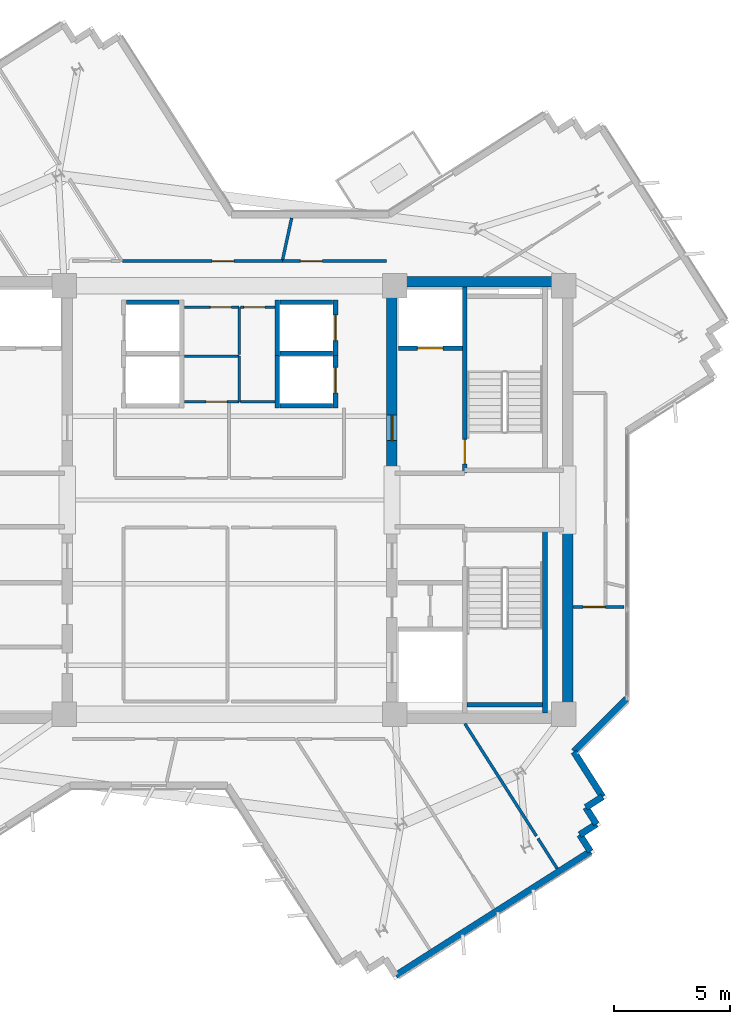
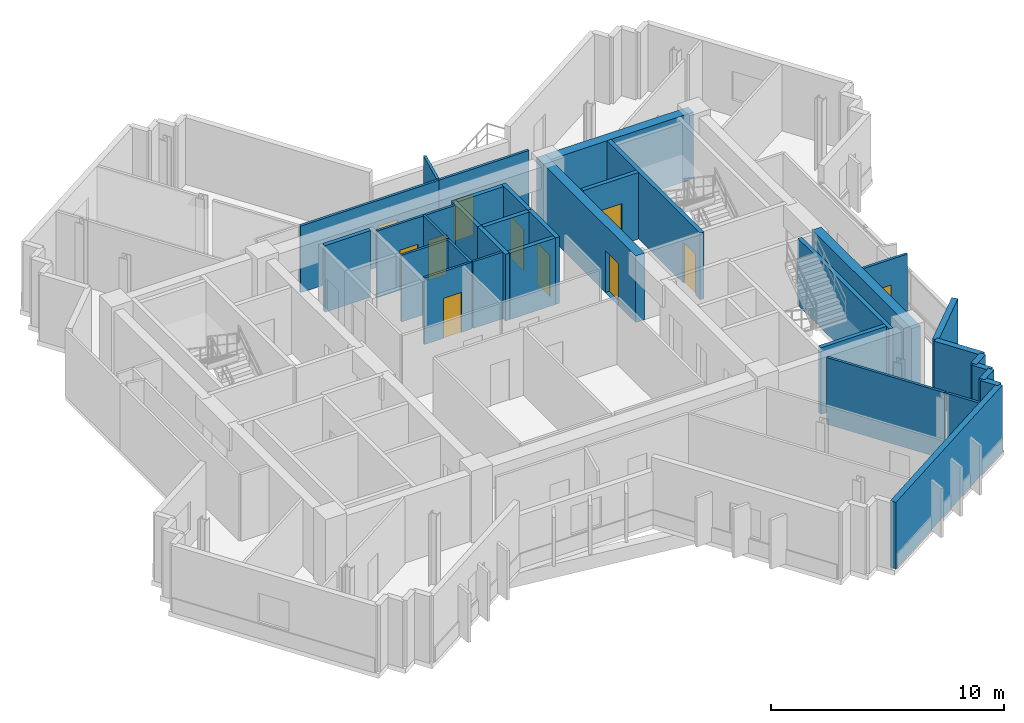
# One storey, part 7 of 12: 35 walls, 11 doors, 11 openings.
"""IFC4 building model written with IfcOpenShell, lengths in metres."""

from ifc_helpers import new_model, si_unit, direction, frame, frame_2d, origin, place, context, subcontext, project, spatial, rectangle, extrude, source, transform, mapped, material, layer, layer_set, type_object, element, fill, save


model = new_model("IFC4")

# Units and contexts
model_context = context("Model", 3, precision=1e-05, world=origin(), true_north=direction((0.0, 1.0)))
body_context = subcontext(model_context, "Body", "Model", "MODEL_VIEW")
ifc_project = project(units=[si_unit("LENGTHUNIT", "METRE"), si_unit("AREAUNIT", "SQUARE_METRE"), si_unit("VOLUMEUNIT", "CUBIC_METRE"), si_unit("PLANEANGLEUNIT", "RADIAN"), si_unit("MASSUNIT", "GRAM", prefix="KILO")], contexts=[model_context])

# Site, building, storey
site_placement = place(None, origin())
site = spatial("IfcSite", under=ifc_project, at=site_placement, CompositionType="ELEMENT")
building_placement = place(site_placement, origin())
building = spatial("IfcBuilding", under=site, at=building_placement, Name="Zahravan Cultural Tower", CompositionType="ELEMENT")
storey_placement = place(building_placement, frame((0.0, 0.0, 265.35009765625)))
storey = spatial("IfcBuildingStorey", under=building, at=storey_placement, Name="L63", CompositionType="ELEMENT", Elevation=265.35009765625)

# Wall, opening, door
ifc_material_1 = material(Name="Concrete C50/60", Category="concrete")
ifc_layer_1 = layer(ifc_material_1, 0.449951171875)
ifc_layer_set_1 = layer_set([ifc_layer_1], Name="Concrete C50/60")
wall_type_1 = type_object("IfcWallType", Name="CW-SHEAR-450-C50", PredefinedType="SHEAR", material=ifc_layer_set_1)
wall_1_placement = place(storey_placement, frame((42.97509765625, 28.050048828125, 0.0), z_axis=(0.0, 0.0, 1.0), x_axis=(0.0, 1.0, 0.0)))
wall_1 = element("IfcWall", 1, at=wall_1_placement, inside=storey, type_object=wall_type_1, Name="L63 Core Shear Wall CW-E-WN-L63", PredefinedType="SHEAR", context=body_context, shape_type="SweptSolid", body=[
    extrude(rectangle(XDim=8.550048828125, YDim=0.449951171875, at=frame_2d((4.27490234375, 0.0))), origin(), (0.0, 0.0, 1.0), 3.5),
])
opening_1_placement = place(wall_1_placement, frame((1.5, 0.0, 0.0)))
opening_1 = element("IfcOpeningElement", 2, at=opening_1_placement, cuts=wall_1, Name="Opening D-L63-07", PredefinedType="OPENING", context=body_context, shape_type="SweptSolid", body=[
    extrude(rectangle(XDim=1.10009765625, YDim=2.199951171875, at=frame_2d((0.550048828125, 1.10009765625))), frame((0.0, 0.23486328125, 0.0), z_axis=(0.0, -1.0, 0.0), x_axis=(1.0, 0.0, 0.0)), (0.0, 0.0, 1.0), 0.469970703125),
])
ifc_material_2 = material(Name="Steel ASTM A572 Grade 50", Category="steel")
door_type_1 = type_object("IfcDoorType", Name="DR-LOBBY-1100", OperationType="NOTDEFINED", PredefinedType="DOOR", material=ifc_material_2)
shared_shape_1 = source(origin(), body_context, "Body", "SweptSolid", [
    extrude(rectangle(XDim=1.10009765625, YDim=2.199951171875, at=frame_2d((0.550048828125, 1.10009765625))), frame((0.0, 0.02490234375, 0.0), z_axis=(0.0, -1.0, 0.0), x_axis=(1.0, 0.0, 0.0)), (0.0, 0.0, 1.0), 0.050048828125),
])
door_1_placement = place(opening_1_placement, origin())
door_1 = element("IfcDoor", 3, at=door_1_placement, inside=storey, type_object=door_type_1, Name="L63 Door D-L63-07", OperationType="SINGLE_SWING_RIGHT", OverallHeight=2.199951171875, OverallWidth=1.10009765625, PredefinedType="DOOR", context=body_context, shape_type="MappedRepresentation", body=[
    mapped(shared_shape_1, transform((0.0, 0.0, 0.0), x_axis=(1.0, 0.0, 0.0), y_axis=(0.0, 1.0, 0.0), z_axis=(0.0, 0.0, 1.0), scale=1.0)),
])
fill(opening_1, door_1)

ifc_material_3 = material(Name="Gypsum plasterboard partition")
ifc_layer_2 = layer(ifc_material_3, 0.125)
ifc_layer_set_2 = layer_set([ifc_layer_2], Name="Gypsum plasterboard partition")
wall_type_2 = type_object("IfcWallType", Name="W-PART-125", PredefinedType="PARTITIONING", material=ifc_layer_set_2)
wall_2_placement = place(storey_placement, frame((50.7548828125, 22.400146484375, 0.0), z_axis=(0.0, 0.0, 1.0), x_axis=(0.999998787702, 0.001557110781, 0.0)))
wall_2 = element("IfcWall", 4, at=wall_2_placement, inside=storey, type_object=wall_type_2, Name="L63 Interior Wall 066", PredefinedType="PARTITIONING", context=body_context, shape_type="SweptSolid", body=[
    extrude(rectangle(XDim=2.195068359375, YDim=0.125, at=frame_2d((1.09765625, 0.0))), origin(), (0.0, 0.0, 1.0), 3.5),
])
opening_2_placement = place(wall_2_placement, frame((0.435791015625, 0.0, 0.0)))
opening_2 = element("IfcOpeningElement", 5, at=opening_2_placement, cuts=wall_2, Name="Opening D-L63-29", PredefinedType="OPENING", context=body_context, shape_type="SweptSolid", body=[
    extrude(rectangle(XDim=0.949951171875, YDim=2.14990234375, at=frame_2d((0.47509765625, 1.074951171875))), frame((0.0, 0.072509765625, 0.0), z_axis=(0.0, -1.0, 0.0), x_axis=(1.0, 0.0, 0.0)), (0.0, 0.0, 1.0), 0.14501953125),
])
ifc_material_4 = material(Name="Anodised bronze-aluminium mullion", Category="aluminium")
door_type_2 = type_object("IfcDoorType", Name="DR-ROOM-950", OperationType="NOTDEFINED", PredefinedType="DOOR", material=ifc_material_4)
shared_shape_2 = source(origin(), body_context, "Body", "SweptSolid", [
    extrude(rectangle(XDim=0.949951171875, YDim=2.14990234375, at=frame_2d((0.47509765625, 1.074951171875))), frame((0.0, 0.02490234375, 0.0), z_axis=(0.0, -1.0, 0.0), x_axis=(1.0, 0.0, 0.0)), (0.0, 0.0, 1.0), 0.050048828125),
])
door_2_placement = place(opening_2_placement, origin())
door_2 = element("IfcDoor", 6, at=door_2_placement, inside=storey, type_object=door_type_2, Name="L63 Door D-L63-29", OperationType="SINGLE_SWING_RIGHT", OverallHeight=2.14990234375, OverallWidth=0.949951171875, PredefinedType="DOOR", context=body_context, shape_type="MappedRepresentation", body=[
    mapped(shared_shape_2, transform((0.0, 0.0, 0.0), x_axis=(1.0, 0.0, 0.0), y_axis=(0.0, 1.0, 0.0), z_axis=(0.0, 0.0, 1.0), scale=1.0)),
])
fill(opening_2, door_2)

wall_3_placement = place(storey_placement, frame((42.742431640625, 37.259765625, 0.0), z_axis=(0.0, 0.0, 1.0), x_axis=(-0.999999998515, 5.4504824e-05, 0.0)))
wall_3 = element("IfcWall", 7, at=wall_3_placement, inside=storey, type_object=wall_type_2, Name="L63 Interior Wall 092", PredefinedType="PARTITIONING", context=body_context, shape_type="SweptSolid", body=[
    extrude(rectangle(XDim=4.479248046875, YDim=0.125, at=frame_2d((2.23974609375, 0.0))), origin(), (0.0, 0.0, 1.0), 3.5),
])
opening_3_placement = place(wall_3_placement, frame((2.752685546875, 0.0, 0.0)))
opening_3 = element("IfcOpeningElement", 8, at=opening_3_placement, cuts=wall_3, Name="Opening D-L63-21", PredefinedType="OPENING", context=body_context, shape_type="SweptSolid", body=[
    extrude(rectangle(XDim=0.949951171875, YDim=2.14990234375, at=frame_2d((0.47509765625, 1.074951171875))), frame((0.0, 0.072509765625, 0.0), z_axis=(0.0, -1.0, 0.0), x_axis=(1.0, 0.0, 0.0)), (0.0, 0.0, 1.0), 0.14501953125),
])
door_3_placement = place(opening_3_placement, origin())
door_3 = element("IfcDoor", 9, at=door_3_placement, inside=storey, type_object=door_type_2, Name="L63 Door D-L63-21", OperationType="SINGLE_SWING_RIGHT", OverallHeight=2.14990234375, OverallWidth=0.949951171875, PredefinedType="DOOR", context=body_context, shape_type="MappedRepresentation", body=[
    mapped(shared_shape_2, transform((0.0, 0.0, 0.0), x_axis=(1.0, 0.0, 0.0), y_axis=(0.0, 1.0, 0.0), z_axis=(0.0, 0.0, 1.0), scale=1.0)),
])
fill(opening_3, door_3)

wall_4_placement = place(storey_placement, frame((38.26318359375, 37.260009765625, 0.0), z_axis=(0.0, 0.0, 1.0), x_axis=(-1.0, 0.0, 0.0)))
wall_4 = element("IfcWall", 10, at=wall_4_placement, inside=storey, type_object=wall_type_2, Name="L63 Interior Wall 095", PredefinedType="PARTITIONING", context=body_context, shape_type="SweptSolid", body=[
    extrude(rectangle(XDim=6.866943359375, YDim=0.125, at=frame_2d((3.43359375, 0.0))), origin(), (0.0, 0.0, 1.0), 3.5),
])
opening_4_placement = place(wall_4_placement, frame((2.071044921875, 0.0, 0.0)))
opening_4 = element("IfcOpeningElement", 11, at=opening_4_placement, cuts=wall_4, Name="Opening D-L63-22", PredefinedType="OPENING", context=body_context, shape_type="SweptSolid", body=[
    extrude(rectangle(XDim=0.949951171875, YDim=2.14990234375, at=frame_2d((0.47509765625, 1.074951171875))), frame((0.0, 0.072509765625, 0.0), z_axis=(0.0, -1.0, 0.0), x_axis=(1.0, 0.0, 0.0)), (0.0, 0.0, 1.0), 0.14501953125),
])
door_4_placement = place(opening_4_placement, origin())
door_4 = element("IfcDoor", 12, at=door_4_placement, inside=storey, type_object=door_type_2, Name="L63 Door D-L63-22", OperationType="SINGLE_SWING_LEFT", OverallHeight=2.14990234375, OverallWidth=0.949951171875, PredefinedType="DOOR", context=body_context, shape_type="MappedRepresentation", body=[
    mapped(shared_shape_2, transform((0.0, 0.0, 0.0), x_axis=(1.0, 0.0, 0.0), y_axis=(0.0, 1.0, 0.0), z_axis=(0.0, 0.0, 1.0), scale=1.0)),
])
fill(opening_4, door_4)

ifc_material_5 = material(Name="Concrete C45/55", Category="concrete")
ifc_layer_3 = layer(ifc_material_5, 0.199951171875)
ifc_layer_set_3 = layer_set([ifc_layer_3], Name="Concrete C45/55")
wall_type_3 = type_object("IfcWallType", Name="W-SHAFT-200", PredefinedType="SOLIDWALL", material=ifc_layer_set_3)
wall_5_placement = place(storey_placement, frame((46.10009765625, 28.14990234375, 0.0), z_axis=(0.0, 0.0, 1.0), x_axis=(0.0, 1.0, 0.0)))
wall_5 = element("IfcWall", 13, at=wall_5_placement, inside=storey, type_object=wall_type_3, Name="L63 Interior Wall 008", PredefinedType="SOLIDWALL", context=body_context, shape_type="SweptSolid", body=[
    extrude(rectangle(XDim=8.0, YDim=0.199951171875, at=frame_2d((4.0, 0.0))), origin(), (0.0, 0.0, 1.0), 3.5),
])
opening_5_placement = place(wall_5_placement, frame((0.39990234375, 0.0, 0.0)))
opening_5 = element("IfcOpeningElement", 14, at=opening_5_placement, cuts=wall_5, Name="Opening D-L63-02", PredefinedType="OPENING", context=body_context, shape_type="SweptSolid", body=[
    extrude(rectangle(XDim=1.050048828125, YDim=2.14990234375, at=frame_2d((0.52490234375, 1.074951171875))), frame((0.0, 0.10986328125, 0.0), z_axis=(0.0, -1.0, 0.0), x_axis=(1.0, 0.0, 0.0)), (0.0, 0.0, 1.0), 0.219970703125),
])
door_type_3 = type_object("IfcDoorType", Name="DR-STAIR-1050", OperationType="NOTDEFINED", PredefinedType="DOOR", material=ifc_material_2)
shared_shape_3 = source(origin(), body_context, "Body", "SweptSolid", [
    extrude(rectangle(XDim=1.050048828125, YDim=2.14990234375, at=frame_2d((0.52490234375, 1.074951171875))), frame((0.0, 0.02490234375, 0.0), z_axis=(0.0, -1.0, 0.0), x_axis=(1.0, 0.0, 0.0)), (0.0, 0.0, 1.0), 0.050048828125),
])
door_5_placement = place(opening_5_placement, origin())
door_5 = element("IfcDoor", 15, at=door_5_placement, inside=storey, type_object=door_type_3, Name="L63 Door D-L63-02", OperationType="SINGLE_SWING_LEFT", OverallHeight=2.14990234375, OverallWidth=1.050048828125, PredefinedType="DOOR", context=body_context, shape_type="MappedRepresentation", body=[
    mapped(shared_shape_3, transform((0.0, 0.0, 0.0), x_axis=(1.0, 0.0, 0.0), y_axis=(0.0, 1.0, 0.0), z_axis=(0.0, 0.0, 1.0), scale=1.0)),
])
fill(opening_5, door_5)

wall_6_placement = place(storey_placement, frame((43.25, 33.52001953125, 0.0), z_axis=(0.0, 0.0, 1.0), x_axis=(1.0, 0.0, 0.0)))
wall_6 = element("IfcWall", 16, at=wall_6_placement, inside=storey, type_object=wall_type_3, Name="L63 Interior Wall 023", PredefinedType="SOLIDWALL", context=body_context, shape_type="SweptSolid", body=[
    extrude(rectangle(XDim=2.75, YDim=0.199951171875, at=frame_2d((1.375, 0.0))), origin(), (0.0, 0.0, 1.0), 3.5),
])
opening_6_placement = place(wall_6_placement, frame((0.820068359375, 0.0, 0.0)))
opening_6 = element("IfcOpeningElement", 17, at=opening_6_placement, cuts=wall_6, Name="Opening LD-L63-02", PredefinedType="OPENING", context=body_context, shape_type="SweptSolid", body=[
    extrude(rectangle(XDim=1.10009765625, YDim=2.14990234375, at=frame_2d((0.550048828125, 1.074951171875))), frame((0.0, 0.10986328125, 0.0), z_axis=(0.0, -1.0, 0.0), x_axis=(1.0, 0.0, 0.0)), (0.0, 0.0, 1.0), 0.219970703125),
])
door_type_4 = type_object("IfcDoorType", Name="DR-LIFT-1100", OperationType="DOUBLE_DOOR_SLIDING", PredefinedType="DOOR", material=ifc_material_2)
shared_shape_4 = source(origin(), body_context, "Body", "SweptSolid", [
    extrude(rectangle(XDim=1.10009765625, YDim=2.14990234375, at=frame_2d((0.550048828125, 1.074951171875))), frame((0.0, 0.02490234375, 0.0), z_axis=(0.0, -1.0, 0.0), x_axis=(1.0, 0.0, 0.0)), (0.0, 0.0, 1.0), 0.050048828125),
])
door_6_placement = place(opening_6_placement, origin())
door_6 = element("IfcDoor", 18, at=door_6_placement, inside=storey, type_object=door_type_4, Name="L63 Door LD-L63-02", OperationType="DOUBLE_DOOR_SLIDING", OverallHeight=2.14990234375, OverallWidth=1.10009765625, PredefinedType="DOOR", context=body_context, shape_type="MappedRepresentation", body=[
    mapped(shared_shape_4, transform((0.0, 0.0, 0.0), x_axis=(1.0, 0.0, 0.0), y_axis=(0.0, 1.0, 0.0), z_axis=(0.0, 0.0, 1.0), scale=1.0)),
])
fill(opening_6, door_6)

wall_7_placement = place(storey_placement, frame((40.550048828125, 33.199951171875, 0.0), z_axis=(0.0, 0.0, 1.0), x_axis=(0.0, 1.0, 0.0)))
wall_7 = element("IfcWall", 19, at=wall_7_placement, inside=storey, type_object=wall_type_3, Name="L63 Interior Wall 037", PredefinedType="SOLIDWALL", context=body_context, shape_type="SweptSolid", body=[
    extrude(rectangle(XDim=2.400146484375, YDim=0.199951171875, at=frame_2d((1.2001953125, 0.0))), origin(), (0.0, 0.0, 1.0), 3.5),
])
opening_7_placement = place(wall_7_placement, frame((0.64990234375, 0.0, 0.0)))
opening_7 = element("IfcOpeningElement", 20, at=opening_7_placement, cuts=wall_7, Name="Opening LD-L63-06", PredefinedType="OPENING", context=body_context, shape_type="SweptSolid", body=[
    extrude(rectangle(XDim=1.10009765625, YDim=2.14990234375, at=frame_2d((0.550048828125, 1.074951171875))), frame((0.0, 0.10986328125, 0.0), z_axis=(0.0, -1.0, 0.0), x_axis=(1.0, 0.0, 0.0)), (0.0, 0.0, 1.0), 0.219970703125),
])
door_7_placement = place(opening_7_placement, origin())
door_7 = element("IfcDoor", 21, at=door_7_placement, inside=storey, type_object=door_type_4, Name="L63 Door LD-L63-06", OperationType="DOUBLE_DOOR_SLIDING", OverallHeight=2.14990234375, OverallWidth=1.10009765625, PredefinedType="DOOR", context=body_context, shape_type="MappedRepresentation", body=[
    mapped(shared_shape_4, transform((0.0, 0.0, 0.0), x_axis=(1.0, 0.0, 0.0), y_axis=(0.0, 1.0, 0.0), z_axis=(0.0, 0.0, 1.0), scale=1.0)),
])
fill(opening_7, door_7)

wall_8_placement = place(storey_placement, frame((40.550048828125, 30.949951171875, 0.0), z_axis=(0.0, 0.0, 1.0), x_axis=(0.0, 1.0, 0.0)))
wall_8 = element("IfcWall", 22, at=wall_8_placement, inside=storey, type_object=wall_type_3, Name="L63 Interior Wall 041", PredefinedType="SOLIDWALL", context=body_context, shape_type="SweptSolid", body=[
    extrude(rectangle(XDim=2.400146484375, YDim=0.199951171875, at=frame_2d((1.2001953125, 0.0))), origin(), (0.0, 0.0, 1.0), 3.5),
])
opening_8_placement = place(wall_8_placement, frame((0.64990234375, 0.0, 0.0)))
opening_8 = element("IfcOpeningElement", 23, at=opening_8_placement, cuts=wall_8, Name="Opening LD-L63-07", PredefinedType="OPENING", context=body_context, shape_type="SweptSolid", body=[
    extrude(rectangle(XDim=1.10009765625, YDim=2.14990234375, at=frame_2d((0.550048828125, 1.074951171875))), frame((0.0, 0.10986328125, 0.0), z_axis=(0.0, -1.0, 0.0), x_axis=(1.0, 0.0, 0.0)), (0.0, 0.0, 1.0), 0.219970703125),
])
door_8_placement = place(opening_8_placement, origin())
door_8 = element("IfcDoor", 24, at=door_8_placement, inside=storey, type_object=door_type_4, Name="L63 Door LD-L63-07", OperationType="DOUBLE_DOOR_SLIDING", OverallHeight=2.14990234375, OverallWidth=1.10009765625, PredefinedType="DOOR", context=body_context, shape_type="MappedRepresentation", body=[
    mapped(shared_shape_4, transform((0.0, 0.0, 0.0), x_axis=(1.0, 0.0, 0.0), y_axis=(0.0, 1.0, 0.0), z_axis=(0.0, 0.0, 1.0), scale=1.0)),
])
fill(opening_8, door_8)

ifc_layer_4 = layer(ifc_material_3, 0.114990234375)
ifc_layer_set_4 = layer_set([ifc_layer_4], Name="Gypsum plasterboard partition")
wall_type_4 = type_object("IfcWallType", Name="W-WC-115", PredefinedType="PARTITIONING", material=ifc_layer_set_4)
wall_9_placement = place(storey_placement, frame((36.409912109375, 31.219970703125, 0.0), z_axis=(0.0, 0.0, 1.0), x_axis=(-1.0, 0.0, 0.0)))
wall_9 = element("IfcWall", 25, at=wall_9_placement, inside=storey, type_object=wall_type_4, Name="L63 Interior Wall 043", PredefinedType="PARTITIONING", context=body_context, shape_type="SweptSolid", body=[
    extrude(rectangle(XDim=2.35498046875, YDim=0.114990234375, at=frame_2d((1.177490234375, 0.0))), origin(), (0.0, 0.0, 1.0), 3.5),
])
opening_9_placement = place(wall_9_placement, frame((0.5166015625, 0.0, 0.0)))
opening_9 = element("IfcOpeningElement", 26, at=opening_9_placement, cuts=wall_9, Name="Opening D-L63-30", PredefinedType="OPENING", context=body_context, shape_type="SweptSolid", body=[
    extrude(rectangle(XDim=0.89990234375, YDim=2.10009765625, at=frame_2d((0.449951171875, 1.050048828125))), frame((0.0, 0.0673828125, 0.0), z_axis=(0.0, -1.0, 0.0), x_axis=(1.0, 0.0, 0.0)), (0.0, 0.0, 1.0), 0.135009765625),
])
door_type_5 = type_object("IfcDoorType", Name="DR-WC-900", OperationType="NOTDEFINED", PredefinedType="DOOR", material=ifc_material_4)
shared_shape_5 = source(origin(), body_context, "Body", "SweptSolid", [
    extrude(rectangle(XDim=0.89990234375, YDim=2.10009765625, at=frame_2d((0.449951171875, 1.050048828125))), frame((0.0, 0.02490234375, 0.0), z_axis=(0.0, -1.0, 0.0), x_axis=(1.0, 0.0, 0.0)), (0.0, 0.0, 1.0), 0.050048828125),
])
door_9_placement = place(opening_9_placement, origin())
door_9 = element("IfcDoor", 27, at=door_9_placement, inside=storey, type_object=door_type_5, Name="L63 Door D-L63-30", OperationType="SINGLE_SWING_LEFT", OverallHeight=2.10009765625, OverallWidth=0.89990234375, PredefinedType="DOOR", context=body_context, shape_type="MappedRepresentation", body=[
    mapped(shared_shape_5, transform((0.0, 0.0, 0.0), x_axis=(1.0, 0.0, 0.0), y_axis=(0.0, 1.0, 0.0), z_axis=(0.0, 0.0, 1.0), scale=1.0)),
])
fill(opening_9, door_9)

wall_10_placement = place(storey_placement, frame((34.054931640625, 35.280029296875, 0.0), z_axis=(0.0, 0.0, 1.0), x_axis=(1.0, 0.0, 0.0)))
wall_10 = element("IfcWall", 28, at=wall_10_placement, inside=storey, type_object=wall_type_4, Name="L63 Interior Wall 046", PredefinedType="PARTITIONING", context=body_context, shape_type="SweptSolid", body=[
    extrude(rectangle(XDim=2.35498046875, YDim=0.114990234375, at=frame_2d((1.177490234375, 0.0))), origin(), (0.0, 0.0, 1.0), 3.5),
])
opening_10_placement = place(wall_10_placement, frame((1.120849609375, 0.0, 0.0)))
opening_10 = element("IfcOpeningElement", 29, at=opening_10_placement, cuts=wall_10, Name="Opening D-L63-16", PredefinedType="OPENING", context=body_context, shape_type="SweptSolid", body=[
    extrude(rectangle(XDim=0.89990234375, YDim=2.10009765625, at=frame_2d((0.449951171875, 1.050048828125))), frame((0.0, 0.0673828125, 0.0), z_axis=(0.0, -1.0, 0.0), x_axis=(1.0, 0.0, 0.0)), (0.0, 0.0, 1.0), 0.135009765625),
])
door_10_placement = place(opening_10_placement, origin())
door_10 = element("IfcDoor", 30, at=door_10_placement, inside=storey, type_object=door_type_5, Name="L63 Door D-L63-16", OperationType="SINGLE_SWING_LEFT", OverallHeight=2.10009765625, OverallWidth=0.89990234375, PredefinedType="DOOR", context=body_context, shape_type="MappedRepresentation", body=[
    mapped(shared_shape_5, transform((0.0, 0.0, 0.0), x_axis=(1.0, 0.0, 0.0), y_axis=(0.0, 1.0, 0.0), z_axis=(0.0, 0.0, 1.0), scale=1.0)),
])
fill(opening_10, door_10)

wall_11_placement = place(storey_placement, frame((36.472412109375, 35.280029296875, 0.0), z_axis=(0.0, 0.0, 1.0), x_axis=(1.0, 0.0, 0.0)))
wall_11 = element("IfcWall", 31, at=wall_11_placement, inside=storey, type_object=wall_type_4, Name="L63 Interior Wall 049", PredefinedType="PARTITIONING", context=body_context, shape_type="SweptSolid", body=[
    extrude(rectangle(XDim=1.47265625, YDim=0.114990234375, at=frame_2d((0.736328125, 0.0))), origin(), (0.0, 0.0, 1.0), 3.5),
])
opening_11_placement = place(wall_11_placement, frame((0.139892578125, 0.0, 0.0)))
opening_11 = element("IfcOpeningElement", 32, at=opening_11_placement, cuts=wall_11, Name="Opening D-L63-17", PredefinedType="OPENING", context=body_context, shape_type="SweptSolid", body=[
    extrude(rectangle(XDim=0.89990234375, YDim=2.10009765625, at=frame_2d((0.449951171875, 1.050048828125))), frame((0.0, 0.0673828125, 0.0), z_axis=(0.0, -1.0, 0.0), x_axis=(1.0, 0.0, 0.0)), (0.0, 0.0, 1.0), 0.135009765625),
])
door_11_placement = place(opening_11_placement, origin())
door_11 = element("IfcDoor", 33, at=door_11_placement, inside=storey, type_object=door_type_5, Name="L63 Door D-L63-17", OperationType="SINGLE_SWING_RIGHT", OverallHeight=2.10009765625, OverallWidth=0.89990234375, PredefinedType="DOOR", context=body_context, shape_type="MappedRepresentation", body=[
    mapped(shared_shape_5, transform((0.0, 0.0, 0.0), x_axis=(1.0, 0.0, 0.0), y_axis=(0.0, 1.0, 0.0), z_axis=(0.0, 0.0, 1.0), scale=1.0)),
])
fill(opening_11, door_11)

# Walls
shared_shape_6 = source(origin(), body_context, "Body", "SweptSolid", [
    extrude(rectangle(XDim=8.550048828125, YDim=0.449951171875, at=frame_2d((4.27490234375, 0.0))), origin(), (0.0, 0.0, 1.0), 3.5),
])
wall_12_placement = place(storey_placement, frame((50.52490234375, 17.39990234375, 0.0), z_axis=(0.0, 0.0, 1.0), x_axis=(0.0, 1.0, 0.0)))
element("IfcWall", 34, at=wall_12_placement, inside=storey, type_object=wall_type_1, Name="L63 Core Shear Wall CW-E-ES-L63", PredefinedType="SHEAR", context=body_context, shape_type="MappedRepresentation", body=[
    mapped(shared_shape_6, transform((0.0, 0.0, 0.0), x_axis=(1.0, 0.0, 0.0), y_axis=(0.0, 1.0, 0.0), z_axis=(0.0, 0.0, 1.0), scale=1.0)),
])
shared_shape_7 = source(origin(), body_context, "Body", "SweptSolid", [
    extrude(rectangle(XDim=7.10009765625, YDim=0.449951171875, at=frame_2d((3.550048828125, 0.0))), origin(), (0.0, 0.0, 1.0), 3.5),
])
wall_13_placement = place(storey_placement, frame((43.199951171875, 36.375, 0.0), z_axis=(0.0, 0.0, 1.0), x_axis=(1.0, 0.0, 0.0)))
element("IfcWall", 35, at=wall_13_placement, inside=storey, type_object=wall_type_1, Name="L63 Core Shear Wall CW-E-N-L63", PredefinedType="SHEAR", context=body_context, shape_type="MappedRepresentation", body=[
    mapped(shared_shape_7, transform((0.0, 0.0, 0.0), x_axis=(1.0, 0.0, 0.0), y_axis=(0.0, 1.0, 0.0), z_axis=(0.0, 0.0, 1.0), scale=1.0)),
])
ifc_material_6 = material(Name="Precast concrete C40/50", Category="concrete")
ifc_layer_5 = layer(ifc_material_6, 0.280029296875)
ifc_layer_set_5 = layer_set([ifc_layer_5], Name="Precast concrete C40/50")
wall_type_5 = type_object("IfcWallType", Name="EW-TC-280", PredefinedType="SOLIDWALL", material=ifc_layer_set_5)
shared_shape_8 = source(origin(), body_context, "Body", "SweptSolid", [
    extrude(rectangle(XDim=0.849853515625, YDim=0.280029296875, at=frame_2d((0.4248046875, 0.0))), origin(), (0.0, 0.0, 1.0), 3.5),
])
for number, where, z_axis, x_axis, name in (
    (36, (52.01904296875, 14.25048828125, 0.0), (0.0, 0.0, 1.0), (-0.843318324659, -0.537414368337, 0.0), "L63 Exterior Masonry Frame Wall 14"),
    (37, (51.30224609375, 13.793701171875, 0.0), (0.0, 0.0, 1.0), (0.537210044462, -0.843448497615, 0.0), "L63 Exterior Masonry Frame Wall 15"),
    (38, (51.7587890625, 13.076904296875, 0.0), (0.0, 0.0, 1.0), (-0.843318324659, -0.537414368337, 0.0), "L63 Exterior Masonry Frame Wall 16"),
    (39, (51.0419921875, 12.6201171875, 0.0), (0.0, 0.0, 1.0), (0.537414368337, -0.843318324659, 0.0), "L63 Exterior Masonry Frame Wall 17"),
):
    element("IfcWall", number, at=place(storey_placement, frame(where, z_axis=z_axis, x_axis=x_axis)), inside=storey, type_object=wall_type_5, Name=name, PredefinedType="SOLIDWALL", context=body_context, shape_type="MappedRepresentation", body=[
        mapped(shared_shape_8, transform((0.0, 0.0, 0.0), x_axis=(1.0, 0.0, 0.0), y_axis=(0.0, 1.0, 0.0), z_axis=(0.0, 0.0, 1.0), scale=1.0)),
    ])
shared_shape_9 = source(origin(), body_context, "Body", "SweptSolid", [
    extrude(rectangle(XDim=9.920166015625, YDim=0.280029296875, at=frame_2d((4.9599609375, 0.0))), origin(), (0.0, 0.0, 1.0), 3.5),
])
wall_14_placement = place(storey_placement, frame((51.498779296875, 11.9033203125, 0.0), z_axis=(0.0, 0.0, 1.0), x_axis=(-0.843388777764, -0.537303796322, 0.0)))
element("IfcWall", 40, at=wall_14_placement, inside=storey, type_object=wall_type_5, Name="L63 Exterior Masonry Frame Wall 18", PredefinedType="SOLIDWALL", context=body_context, shape_type="MappedRepresentation", body=[
    mapped(shared_shape_9, transform((0.0, 0.0, 0.0), x_axis=(1.0, 0.0, 0.0), y_axis=(0.0, 1.0, 0.0), z_axis=(0.0, 0.0, 1.0), scale=1.0)),
])
shared_shape_10 = source(origin(), body_context, "Body", "SweptSolid", [
    extrude(rectangle(XDim=3.21484375, YDim=0.280029296875, at=frame_2d((1.607421875, 0.0))), origin(), (0.0, 0.0, 1.0), 3.5),
])
wall_15_placement = place(storey_placement, frame((53.06005859375, 18.4580078125, 0.0), z_axis=(0.0, 0.0, 1.0), x_axis=(-0.707106781187, -0.707106781187, 0.0)))
element("IfcWall", 41, at=wall_15_placement, inside=storey, type_object=wall_type_5, Name="L63 Exterior Masonry Frame Wall 12", PredefinedType="SOLIDWALL", context=body_context, shape_type="MappedRepresentation", body=[
    mapped(shared_shape_10, transform((0.0, 0.0, 0.0), x_axis=(1.0, 0.0, 0.0), y_axis=(0.0, 1.0, 0.0), z_axis=(0.0, 0.0, 1.0), scale=1.0)),
])
shared_shape_11 = source(origin(), body_context, "Body", "SweptSolid", [
    extrude(rectangle(XDim=2.29345703125, YDim=0.280029296875, at=frame_2d((1.146728515625, 0.0))), origin(), (0.0, 0.0, 1.0), 3.5),
])
wall_16_placement = place(storey_placement, frame((50.786865234375, 16.184814453125, 0.0), z_axis=(0.0, 0.0, 1.0), x_axis=(0.53726116654, -0.843415934713, 0.0)))
element("IfcWall", 42, at=wall_16_placement, inside=storey, type_object=wall_type_5, Name="L63 Exterior Masonry Frame Wall 13", PredefinedType="SOLIDWALL", context=body_context, shape_type="MappedRepresentation", body=[
    mapped(shared_shape_11, transform((0.0, 0.0, 0.0), x_axis=(1.0, 0.0, 0.0), y_axis=(0.0, 1.0, 0.0), z_axis=(0.0, 0.0, 1.0), scale=1.0)),
])
shared_shape_12 = source(origin(), body_context, "Body", "SweptSolid", [
    extrude(rectangle(XDim=7.869873046875, YDim=0.199951171875, at=frame_2d((3.93505859375, 0.0))), origin(), (0.0, 0.0, 1.0), 3.5),
])
wall_17_placement = place(storey_placement, frame((49.550048828125, 17.85009765625, 0.0), z_axis=(0.0, 0.0, 1.0), x_axis=(0.0, 1.0, 0.0)))
element("IfcWall", 43, at=wall_17_placement, inside=storey, type_object=wall_type_3, Name="L63 Interior Wall 003", PredefinedType="SOLIDWALL", context=body_context, shape_type="MappedRepresentation", body=[
    mapped(shared_shape_12, transform((0.0, 0.0, 0.0), x_axis=(1.0, 0.0, 0.0), y_axis=(0.0, 1.0, 0.0), z_axis=(0.0, 0.0, 1.0), scale=1.0)),
])
shared_shape_13 = source(origin(), body_context, "Body", "SweptSolid", [
    extrude(rectangle(XDim=3.25, YDim=0.199951171875, at=frame_2d((1.625, 0.0))), origin(), (0.0, 0.0, 1.0), 3.5),
])
wall_18_placement = place(storey_placement, frame((46.199951171875, 18.199951171875, 0.0), z_axis=(0.0, 0.0, 1.0), x_axis=(1.0, 0.0, 0.0)))
element("IfcWall", 44, at=wall_18_placement, inside=storey, type_object=wall_type_3, Name="L63 Interior Wall 020", PredefinedType="SOLIDWALL", context=body_context, shape_type="MappedRepresentation", body=[
    mapped(shared_shape_13, transform((0.0, 0.0, 0.0), x_axis=(1.0, 0.0, 0.0), y_axis=(0.0, 1.0, 0.0), z_axis=(0.0, 0.0, 1.0), scale=1.0)),
])
shared_shape_14 = source(origin(), body_context, "Body", "SweptSolid", [
    extrude(rectangle(XDim=2.400146484375, YDim=0.199951171875, at=frame_2d((1.2001953125, 0.0))), origin(), (0.0, 0.0, 1.0), 3.5),
])
for number, where, z_axis, x_axis, name in (
    (45, (38.050048828125, 33.199951171875, 0.0), (0.0, 0.0, 1.0), (0.0, 1.0, 0.0), "L63 Interior Wall 036"),
    (46, (38.050048828125, 30.949951171875, 0.0), (0.0, 0.0, 1.0), (0.0, 1.0, 0.0), "L63 Interior Wall 040"),
):
    element("IfcWall", number, at=place(storey_placement, frame(where, z_axis=z_axis, x_axis=x_axis)), inside=storey, type_object=wall_type_3, Name=name, PredefinedType="SOLIDWALL", context=body_context, shape_type="MappedRepresentation", body=[
        mapped(shared_shape_14, transform((0.0, 0.0, 0.0), x_axis=(1.0, 0.0, 0.0), y_axis=(0.0, 1.0, 0.0), z_axis=(0.0, 0.0, 1.0), scale=1.0)),
    ])
shared_shape_15 = source(origin(), body_context, "Body", "SweptSolid", [
    extrude(rectangle(XDim=2.260009765625, YDim=0.199951171875, at=frame_2d((1.1298828125, 0.0))), origin(), (0.0, 0.0, 1.0), 3.5),
])
for number, where, z_axis, x_axis, name in (
    (47, (31.570068359375, 35.5, 0.0), (0.0, 0.0, 1.0), (1.0, 0.0, 0.0), "L63 Interior Wall 032"),
    (48, (38.169921875, 33.300048828125, 0.0), (0.0, 0.0, 1.0), (1.0, 0.0, 0.0), "L63 Interior Wall 038"),
    (49, (38.169921875, 35.5, 0.0), (0.0, 0.0, 1.0), (1.0, 0.0, 0.0), "L63 Interior Wall 039"),
    (50, (38.169921875, 31.050048828125, 0.0), (0.0, 0.0, 1.0), (1.0, 0.0, 0.0), "L63 Interior Wall 042"),
):
    element("IfcWall", number, at=place(storey_placement, frame(where, z_axis=z_axis, x_axis=x_axis)), inside=storey, type_object=wall_type_3, Name=name, PredefinedType="SOLIDWALL", context=body_context, shape_type="MappedRepresentation", body=[
        mapped(shared_shape_15, transform((0.0, 0.0, 0.0), x_axis=(1.0, 0.0, 0.0), y_axis=(0.0, 1.0, 0.0), z_axis=(0.0, 0.0, 1.0), scale=1.0)),
    ])
shared_shape_16 = source(origin(), body_context, "Body", "SweptSolid", [
    extrude(rectangle(XDim=1.9599609375, YDim=0.114990234375, at=frame_2d((0.97998046875, 0.0))), origin(), (0.0, 0.0, 1.0), 3.5),
])
wall_19_placement = place(storey_placement, frame((36.409912109375, 33.179931640625, 0.0), z_axis=(0.0, 0.0, 1.0), x_axis=(0.0, -1.0, 0.0)))
element("IfcWall", 51, at=wall_19_placement, inside=storey, type_object=wall_type_4, Name="L63 Interior Wall 045", PredefinedType="PARTITIONING", context=body_context, shape_type="MappedRepresentation", body=[
    mapped(shared_shape_16, transform((0.0, 0.0, 0.0), x_axis=(1.0, 0.0, 0.0), y_axis=(0.0, 1.0, 0.0), z_axis=(0.0, 0.0, 1.0), scale=1.0)),
])
shared_shape_17 = source(origin(), body_context, "Body", "SweptSolid", [
    extrude(rectangle(XDim=2.0400390625, YDim=0.114990234375, at=frame_2d((1.02001953125, 0.0))), origin(), (0.0, 0.0, 1.0), 3.5),
])
wall_20_placement = place(storey_placement, frame((36.409912109375, 35.280029296875, 0.0), z_axis=(0.0, 0.0, 1.0), x_axis=(0.0, -1.0, 0.0)))
element("IfcWall", 52, at=wall_20_placement, inside=storey, type_object=wall_type_4, Name="L63 Interior Wall 047", PredefinedType="PARTITIONING", context=body_context, shape_type="MappedRepresentation", body=[
    mapped(shared_shape_17, transform((0.0, 0.0, 0.0), x_axis=(1.0, 0.0, 0.0), y_axis=(0.0, 1.0, 0.0), z_axis=(0.0, 0.0, 1.0), scale=1.0)),
])
shared_shape_18 = source(origin(), body_context, "Body", "SweptSolid", [
    extrude(rectangle(XDim=1.47265625, YDim=0.114990234375, at=frame_2d((0.736328125, 0.0))), origin(), (0.0, 0.0, 1.0), 3.5),
])
wall_21_placement = place(storey_placement, frame((37.945068359375, 31.219970703125, 0.0), z_axis=(0.0, 0.0, 1.0), x_axis=(-1.0, 0.0, 0.0)))
element("IfcWall", 53, at=wall_21_placement, inside=storey, type_object=wall_type_4, Name="L63 Interior Wall 048", PredefinedType="PARTITIONING", context=body_context, shape_type="MappedRepresentation", body=[
    mapped(shared_shape_18, transform((0.0, 0.0, 0.0), x_axis=(1.0, 0.0, 0.0), y_axis=(0.0, 1.0, 0.0), z_axis=(0.0, 0.0, 1.0), scale=1.0)),
])
shared_shape_19 = source(origin(), body_context, "Body", "SweptSolid", [
    extrude(rectangle(XDim=2.35498046875, YDim=0.114990234375, at=frame_2d((1.177490234375, 0.0))), origin(), (0.0, 0.0, 1.0), 3.5),
])
wall_22_placement = place(storey_placement, frame((34.054931640625, 33.179931640625, 0.0), z_axis=(0.0, 0.0, 1.0), x_axis=(1.0, 0.0, 0.0)))
element("IfcWall", 54, at=wall_22_placement, inside=storey, type_object=wall_type_4, Name="L63 Interior Wall 044", PredefinedType="PARTITIONING", context=body_context, shape_type="MappedRepresentation", body=[
    mapped(shared_shape_19, transform((0.0, 0.0, 0.0), x_axis=(1.0, 0.0, 0.0), y_axis=(0.0, 1.0, 0.0), z_axis=(0.0, 0.0, 1.0), scale=1.0)),
])
shared_shape_20 = source(origin(), body_context, "Body", "SweptSolid", [
    extrude(rectangle(XDim=5.726318359375, YDim=0.125, at=frame_2d((2.86328125, 0.0))), origin(), (0.0, 0.0, 1.0), 3.5),
])
wall_23_placement = place(storey_placement, frame((46.102783203125, 17.39501953125, 0.0), z_axis=(0.0, 0.0, 1.0), x_axis=(0.537333366959, -0.843369938255, 0.0)))
element("IfcWall", 55, at=wall_23_placement, inside=storey, type_object=wall_type_2, Name="L63 Interior Wall 062", PredefinedType="PARTITIONING", context=body_context, shape_type="MappedRepresentation", body=[
    mapped(shared_shape_20, transform((0.0, 0.0, 0.0), x_axis=(1.0, 0.0, 0.0), y_axis=(0.0, 1.0, 0.0), z_axis=(0.0, 0.0, 1.0), scale=1.0)),
])
shared_shape_21 = source(origin(), body_context, "Body", "SweptSolid", [
    extrude(rectangle(XDim=1.532958984375, YDim=0.125, at=frame_2d((0.7666015625, 0.0))), origin(), (0.0, 0.0, 1.0), 3.5),
])
wall_24_placement = place(storey_placement, frame((49.247802734375, 12.458740234375, 0.0), z_axis=(0.0, 0.0, 1.0), x_axis=(0.537194917031, -0.843458132403, 0.0)))
element("IfcWall", 56, at=wall_24_placement, inside=storey, type_object=wall_type_2, Name="L63 Interior Wall 063", PredefinedType="PARTITIONING", context=body_context, shape_type="MappedRepresentation", body=[
    mapped(shared_shape_21, transform((0.0, 0.0, 0.0), x_axis=(1.0, 0.0, 0.0), y_axis=(0.0, 1.0, 0.0), z_axis=(0.0, 0.0, 1.0), scale=1.0)),
])
shared_shape_22 = source(origin(), body_context, "Body", "SweptSolid", [
    extrude(rectangle(XDim=1.8291015625, YDim=0.125, at=frame_2d((0.91455078125, 0.0))), origin(), (0.0, 0.0, 1.0), 3.5),
])
wall_25_placement = place(storey_placement, frame((38.27783203125, 37.327392578125, 0.0), z_axis=(0.0, 0.0, 1.0), x_axis=(0.21182559105, 0.977307484355, 0.0)))
element("IfcWall", 57, at=wall_25_placement, inside=storey, type_object=wall_type_2, Name="L63 Interior Wall 093", PredefinedType="PARTITIONING", context=body_context, shape_type="MappedRepresentation", body=[
    mapped(shared_shape_22, transform((0.0, 0.0, 0.0), x_axis=(1.0, 0.0, 0.0), y_axis=(0.0, 1.0, 0.0), z_axis=(0.0, 0.0, 1.0), scale=1.0)),
])

save(model, "model.ifc")
